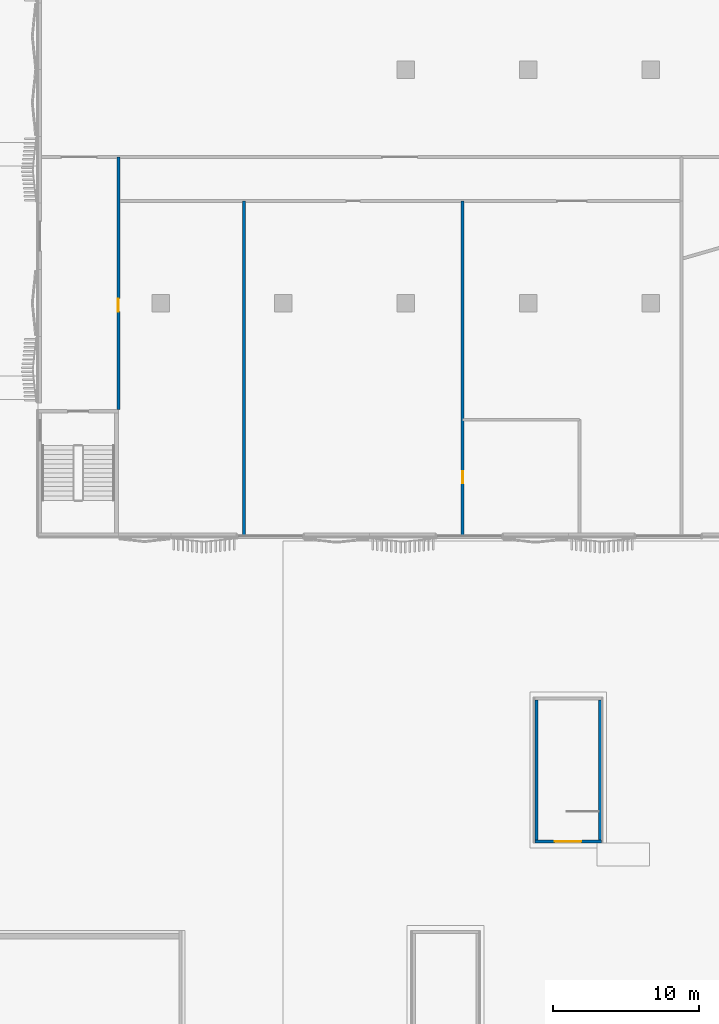
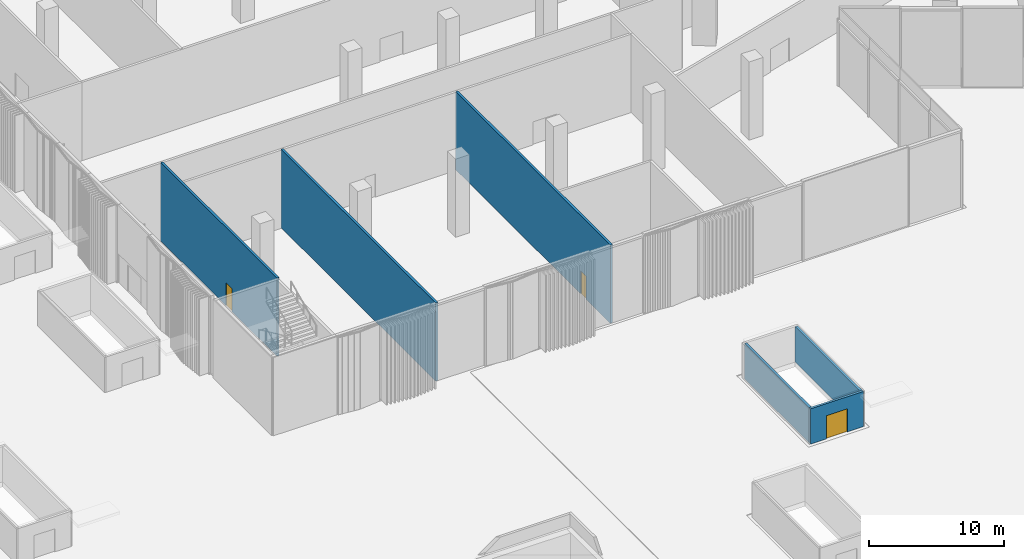
# One storey, part 13 of 41: 6 walls, 3 doors, 3 openings.
"""IFC4 building model written with IfcOpenShell, lengths in metres."""

from ifc_helpers import new_model, si_unit, direction, frame, frame_2d, origin, place, context, subcontext, project, spatial, rectangle, extrude, material, layer, layer_set, type_object, element, fill, save


model = new_model("IFC4")

# Units and contexts
model_context = context("Model", 3, precision=1e-05, world=origin(), true_north=direction((0.0, 1.0)))
body_context = subcontext(model_context, "Body", "Model", "MODEL_VIEW")
ifc_project = project(units=[si_unit("LENGTHUNIT", "METRE"), si_unit("AREAUNIT", "SQUARE_METRE"), si_unit("VOLUMEUNIT", "CUBIC_METRE"), si_unit("PLANEANGLEUNIT", "RADIAN"), si_unit("MASSUNIT", "GRAM", prefix="KILO")], contexts=[model_context])

# Site, building, storey
site_placement = place(None, origin())
site = spatial("IfcSite", under=ifc_project, at=site_placement, CompositionType="ELEMENT")
building_placement = place(site_placement, origin())
building = spatial("IfcBuilding", under=site, at=building_placement, Name="Tamra Quay Hotel Tower", CompositionType="ELEMENT")
storey_placement = place(building_placement, origin())
storey = spatial("IfcBuildingStorey", under=building, at=storey_placement, Name="L00", CompositionType="ELEMENT", Elevation=0.0)

# Walls
ifc_material_1 = material(Name="Concrete M70", Category="concrete")
ifc_layer_1 = layer(ifc_material_1, 0.199951171875)
ifc_layer_set_1 = layer_set([ifc_layer_1], Name="Concrete M70 stair enclosure wall 200")
wall_type_1 = type_object("IfcWallType", Name="Concrete M70 stair enclosure wall 200", PredefinedType="SOLIDWALL", material=ifc_layer_set_1)
for number, where, z_axis, x_axis, name in (
    (1, (-54.949951171875, -52.800048828125, 0.0), (0.0, 0.0, 1.0), (0.0, 1.0, 0.0), "SEW"),
    (2, (-50.60009765625, -52.800048828125, 0.0), (0.0, 0.0, 1.0), (0.0, 1.0, 0.0), "SEW"),
):
    element("IfcWall", number, at=place(storey_placement, frame(where, z_axis=z_axis, x_axis=x_axis)), inside=storey, type_object=wall_type_1, Name=name, PredefinedType="SOLIDWALL", context=body_context, shape_type="SweptSolid", body=[
        extrude(rectangle(XDim=9.60009765625, YDim=0.199951171875, at=frame_2d((4.800048828125, 0.0))), origin(), (0.0, 0.0, 1.0), 3.199951171875),
    ])

# Wall, opening, door
wall_1_placement = place(storey_placement, frame((-50.5, -52.89990234375, 0.0), z_axis=(0.0, 0.0, 1.0), x_axis=(-1.0, 0.0, 0.0)))
wall_1 = element("IfcWall", 3, at=wall_1_placement, inside=storey, type_object=wall_type_1, Name="SEW", PredefinedType="SOLIDWALL", context=body_context, shape_type="SweptSolid", body=[
    extrude(rectangle(XDim=4.550048828125, YDim=0.199951171875, at=frame_2d((2.27490234375, 0.0))), origin(), (0.0, 0.0, 1.0), 3.199951171875),
])
opening_1_placement = place(wall_1_placement, frame((1.375, 0.0, 0.0)))
opening_1 = element("IfcOpeningElement", 4, at=opening_1_placement, cuts=wall_1, Name="Opening SD2", PredefinedType="OPENING", context=body_context, shape_type="SweptSolid", body=[
    extrude(rectangle(XDim=1.800048828125, YDim=2.10009765625, at=frame_2d((0.89990234375, 1.050048828125))), frame((0.0, 0.10986328125, 0.0), z_axis=(0.0, -1.0, 0.0), x_axis=(1.0, 0.0, 0.0)), (0.0, 0.0, 1.0), 0.219970703125),
])
ifc_material_2 = material(Name="Stair discharge door 1800 x 2100")
door_type_1 = type_object("IfcDoorType", Name="Stair discharge door 1800 x 2100", OperationType="DOUBLE_DOOR_SINGLE_SWING", PredefinedType="DOOR", material=ifc_material_2)
door_1_placement = place(opening_1_placement, origin())
door_1 = element("IfcDoor", 5, at=door_1_placement, inside=storey, type_object=door_type_1, Name="SD2", OperationType="DOUBLE_DOOR_SINGLE_SWING", OverallHeight=2.10009765625, OverallWidth=1.800048828125, PredefinedType="DOOR", context=body_context, shape_type="SweptSolid", body=[
    extrude(rectangle(XDim=1.800048828125, YDim=2.10009765625, at=frame_2d((0.89990234375, 1.050048828125))), frame((0.0, 0.02490234375, 0.0), z_axis=(0.0, -1.0, 0.0), x_axis=(1.0, 0.0, 0.0)), (0.0, 0.0, 1.0), 0.050048828125),
])
fill(opening_1, door_1)

ifc_material_3 = material(Name="Partition corridor wall")
ifc_layer_2 = layer(ifc_material_3, 0.199951171875)
ifc_layer_set_2 = layer_set([ifc_layer_2], Name="Partition corridor wall")
wall_type_2 = type_object("IfcWallType", Name="Partition corridor wall", PredefinedType="PARTITIONING", material=ifc_layer_set_2)
wall_2_placement = place(storey_placement, frame((-83.60009765625, -23.300048828125, 0.0), z_axis=(0.0, 0.0, 1.0), x_axis=(0.0, 1.0, 0.0)))
wall_2 = element("IfcWall", 6, at=wall_2_placement, inside=storey, type_object=wall_type_2, Name="W-C", PredefinedType="PARTITIONING", context=body_context, shape_type="SweptSolid", body=[
    extrude(rectangle(XDim=17.298095703125, YDim=0.199951171875, at=frame_2d((8.64892578125, 0.0))), origin(), (0.0, 0.0, 1.0), 7.10009765625),
])
opening_2_placement = place(wall_2_placement, frame((6.705078125, 0.0, 0.0)))
opening_2 = element("IfcOpeningElement", 7, at=opening_2_placement, cuts=wall_2, Name="Opening L00-D008", PredefinedType="OPENING", context=body_context, shape_type="SweptSolid", body=[
    extrude(rectangle(XDim=0.89990234375, YDim=2.10009765625, at=frame_2d((0.449951171875, 1.050048828125))), frame((0.0, 0.10986328125, 0.0), z_axis=(0.0, -1.0, 0.0), x_axis=(1.0, 0.0, 0.0)), (0.0, 0.0, 1.0), 0.219970703125),
])
ifc_material_4 = material(Name="Door service room 900x2100")
door_type_2 = type_object("IfcDoorType", Name="Door service room 900x2100", OperationType="NOTDEFINED", PredefinedType="DOOR", material=ifc_material_4)
door_2_placement = place(opening_2_placement, frame((0.89990234375, 0.0, 0.0), z_axis=(0.0, 0.0, 1.0), x_axis=(-1.0, 0.0, 0.0)))
door_2 = element("IfcDoor", 8, at=door_2_placement, inside=storey, type_object=door_type_2, Name="L00-D008", OperationType="SINGLE_SWING_LEFT", OverallHeight=2.10009765625, OverallWidth=0.89990234375, PredefinedType="DOOR", context=body_context, shape_type="SweptSolid", body=[
    extrude(rectangle(XDim=0.89990234375, YDim=2.10009765625, at=frame_2d((0.449951171875, 1.050048828125))), frame((0.0, 0.02490234375, 0.0), z_axis=(0.0, -1.0, 0.0), x_axis=(1.0, 0.0, 0.0)), (0.0, 0.0, 1.0), 0.050048828125),
])
fill(opening_2, door_2)

# Wall
ifc_material_5 = material(Name="Partition party wall")
ifc_layer_3 = layer(ifc_material_5, 0.199951171875)
ifc_layer_set_3 = layer_set([ifc_layer_3], Name="Partition party wall")
wall_type_3 = type_object("IfcWallType", Name="Partition party wall", PredefinedType="PARTITIONING", material=ifc_layer_set_3)
wall_3_placement = place(storey_placement, frame((-75.0, -31.9951171875, 0.0), z_axis=(0.0, 0.0, 1.0), x_axis=(0.0, 1.0, 0.0)))
element("IfcWall", 9, at=wall_3_placement, inside=storey, type_object=wall_type_3, Name="W-P", PredefinedType="PARTITIONING", context=body_context, shape_type="SweptSolid", body=[
    extrude(rectangle(XDim=22.9931640625, YDim=0.199951171875, at=frame_2d((11.49658203125, 0.0))), origin(), (0.0, 0.0, 1.0), 7.10009765625),
])

# Wall, opening, door
wall_4_placement = place(storey_placement, frame((-60.0, -31.9951171875, 0.0), z_axis=(0.0, 0.0, 1.0), x_axis=(0.0, 1.0, 0.0)))
wall_4 = element("IfcWall", 10, at=wall_4_placement, inside=storey, type_object=wall_type_3, Name="W-P", PredefinedType="PARTITIONING", context=body_context, shape_type="SweptSolid", body=[
    extrude(rectangle(XDim=22.9931640625, YDim=0.199951171875, at=frame_2d((11.49658203125, 0.0))), origin(), (0.0, 0.0, 1.0), 7.10009765625),
])
opening_3_placement = place(wall_4_placement, frame((3.65087890625, 0.0, 0.0)))
opening_3 = element("IfcOpeningElement", 11, at=opening_3_placement, cuts=wall_4, Name="Opening L00-D010", PredefinedType="OPENING", context=body_context, shape_type="SweptSolid", body=[
    extrude(rectangle(XDim=0.800048828125, YDim=2.10009765625, at=frame_2d((0.39990234375, 1.050048828125))), frame((0.0, 0.10986328125, 0.0), z_axis=(0.0, -1.0, 0.0), x_axis=(1.0, 0.0, 0.0)), (0.0, 0.0, 1.0), 0.219970703125),
])
ifc_material_6 = material(Name="Door service room 800x2100")
door_type_3 = type_object("IfcDoorType", Name="Door service room 800x2100", OperationType="NOTDEFINED", PredefinedType="DOOR", material=ifc_material_6)
door_3_placement = place(opening_3_placement, frame((0.800048828125, 0.0, 0.0), z_axis=(0.0, 0.0, 1.0), x_axis=(-1.0, 0.0, 0.0)))
door_3 = element("IfcDoor", 12, at=door_3_placement, inside=storey, type_object=door_type_3, Name="L00-D010", OperationType="SINGLE_SWING_LEFT", OverallHeight=2.10009765625, OverallWidth=0.800048828125, PredefinedType="DOOR", context=body_context, shape_type="SweptSolid", body=[
    extrude(rectangle(XDim=0.800048828125, YDim=2.10009765625, at=frame_2d((0.39990234375, 1.050048828125))), frame((0.0, 0.02490234375, 0.0), z_axis=(0.0, -1.0, 0.0), x_axis=(1.0, 0.0, 0.0)), (0.0, 0.0, 1.0), 0.050048828125),
])
fill(opening_3, door_3)

save(model, "model.ifc")
